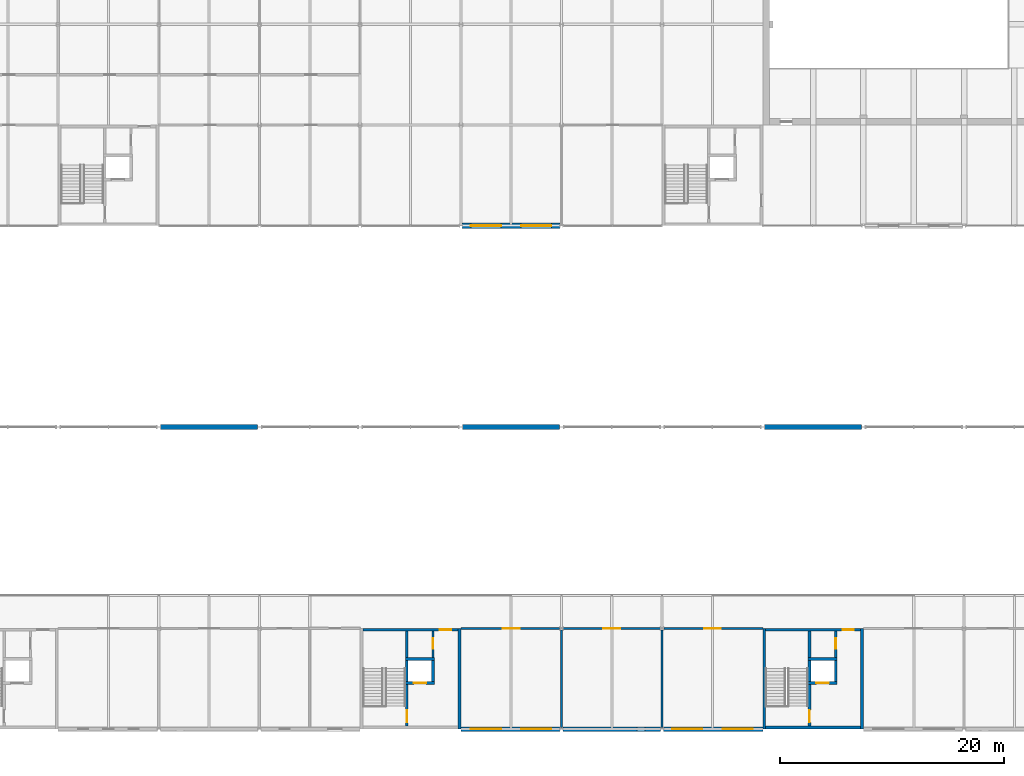
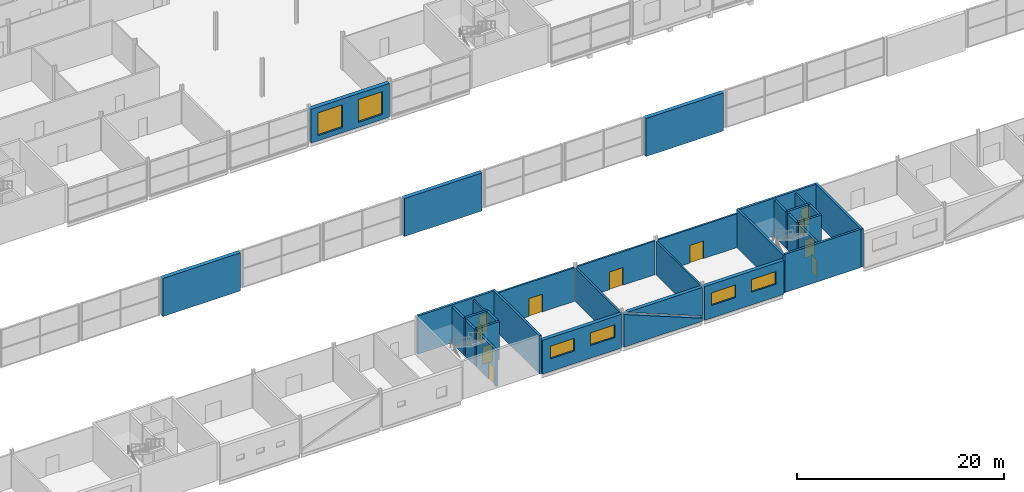
# One storey, part 69 of 97: 29 walls, 11 doors, 6 windows, 17 openings.
"""IFC4 building model written with IfcOpenShell, lengths in metres."""

from ifc_helpers import new_model, si_unit, direction, frame, frame_2d, origin, place, context, subcontext, project, spatial, polyline, rectangle, outline, extrude, material, layer, layer_set, type_object, element, fill, save


model = new_model("IFC4")

# Units and contexts
model_context = context("Model", 3, precision=1e-05, world=origin(), true_north=direction((0.0, 1.0)))
body_context = subcontext(model_context, "Body", "Model", "MODEL_VIEW")
ifc_project = project(units=[si_unit("LENGTHUNIT", "METRE"), si_unit("AREAUNIT", "SQUARE_METRE"), si_unit("VOLUMEUNIT", "CUBIC_METRE"), si_unit("PLANEANGLEUNIT", "RADIAN"), si_unit("MASSUNIT", "GRAM", prefix="KILO")], contexts=[model_context])

# Site, building, storey
site_placement = place(None, origin())
site = spatial("IfcSite", under=ifc_project, at=site_placement, CompositionType="ELEMENT")
building_placement = place(site_placement, origin())
building = spatial("IfcBuilding", under=site, at=building_placement, Name="Corbel Yard City Hall", CompositionType="ELEMENT")
storey_placement = place(building_placement, frame((0.0, 0.0, 6.0)))
storey = spatial("IfcBuildingStorey", under=building, at=storey_placement, Name="L01", CompositionType="ELEMENT", Elevation=6.0)

# Wall
ifc_material_1 = material(Name="Concrete N50 (50 MPa)", Category="concrete")
ifc_layer_1 = layer(ifc_material_1, 0.25)
ifc_layer_set_1 = layer_set([ifc_layer_1], Name="Concrete N50 (50 MPa)")
wall_type_1 = type_object("IfcWallType", Name="Core cell wall 250", PredefinedType="SHEAR", material=ifc_layer_set_1)
wall_1_placement = place(storey_placement, frame((89.875, 0.0, 0.0), z_axis=(0.0, 0.0, 1.0), x_axis=(0.0, 1.0, 0.0)))
element("IfcWall", 1, at=wall_1_placement, inside=storey, type_object=wall_type_1, Name="Core PC-S2 east wall", PredefinedType="SHEAR", context=body_context, shape_type="SweptSolid", body=[
    extrude(rectangle(XDim=9.0, YDim=0.25, at=frame_2d((4.5, 0.0))), origin(), (0.0, 0.0, 1.0), 4.5),
])

# Wall, opening, door
wall_2_placement = place(storey_placement, frame((81.25, 8.875, 0.0), z_axis=(0.0, 0.0, 1.0), x_axis=(1.0, 0.0, 0.0)))
wall_2 = element("IfcWall", 2, at=wall_2_placement, inside=storey, type_object=wall_type_1, Name="Core PC-S2 north wall", PredefinedType="SHEAR", context=body_context, shape_type="SweptSolid", body=[
    extrude(rectangle(XDim=8.5, YDim=0.25, at=frame_2d((4.25, 0.0))), origin(), (0.0, 0.0, 1.0), 4.5),
])
opening_1_placement = place(wall_2_placement, frame((6.887451171875, 0.0, 0.0)))
opening_1 = element("IfcOpeningElement", 3, at=opening_1_placement, cuts=wall_2, Name="Opening L01-021", PredefinedType="OPENING", context=body_context, shape_type="SweptSolid", body=[
    extrude(rectangle(XDim=1.0, YDim=2.10009765625, at=frame_2d((0.5, 1.050048828125))), frame((0.0, 0.135009765625, 0.0), z_axis=(0.0, -1.0, 0.0), x_axis=(1.0, 0.0, 0.0)), (0.0, 0.0, 1.0), 0.27001953125),
])
ifc_material_2 = material(Name="Steel Grade G250", Category="steel")
door_type_1 = type_object("IfcDoorType", Name="FS1", OperationType="SINGLE_SWING_LEFT", PredefinedType="DOOR", material=ifc_material_2)
door_1_placement = place(opening_1_placement, frame((1.0, 0.0, 0.0), z_axis=(0.0, 0.0, 1.0), x_axis=(-1.0, 0.0, 0.0)))
door_1 = element("IfcDoor", 4, at=door_1_placement, inside=storey, type_object=door_type_1, Name="Door Lift Lobby", OperationType="SINGLE_SWING_RIGHT", OverallHeight=2.10009765625, OverallWidth=1.0, PredefinedType="DOOR", context=body_context, shape_type="SweptSolid", body=[
    extrude(rectangle(XDim=1.0, YDim=2.10009765625, at=frame_2d((0.5, 1.050048828125))), frame((0.0, 0.02490234375, 0.0), z_axis=(0.0, -1.0, 0.0), x_axis=(1.0, 0.0, 0.0)), (0.0, 0.0, 1.0), 0.050048828125),
])
fill(opening_1, door_1)

# Walls
for number, where, z_axis, x_axis, name in (
    (5, (117.125, 0.0, 0.0), (0.0, 0.0, 1.0), (0.0, 1.0, 0.0), "Core PC-S3 west wall"),
    (6, (125.875, 0.0, 0.0), (0.0, 0.0, 1.0), (0.0, 1.0, 0.0), "Core PC-S3 east wall"),
):
    element("IfcWall", number, at=place(storey_placement, frame(where, z_axis=z_axis, x_axis=x_axis)), inside=storey, type_object=wall_type_1, Name=name, PredefinedType="SHEAR", context=body_context, shape_type="SweptSolid", body=[
        extrude(rectangle(XDim=9.0, YDim=0.25, at=frame_2d((4.5, 0.0))), origin(), (0.0, 0.0, 1.0), 4.5),
    ])
wall_3_placement = place(storey_placement, frame((117.25, 0.125, 0.0), z_axis=(0.0, 0.0, 1.0), x_axis=(1.0, 0.0, 0.0)))
element("IfcWall", 7, at=wall_3_placement, inside=storey, type_object=wall_type_1, Name="Core PC-S3 south wall", PredefinedType="SHEAR", context=body_context, shape_type="SweptSolid", body=[
    extrude(rectangle(XDim=8.5, YDim=0.25, at=frame_2d((4.25, 0.0))), origin(), (0.0, 0.0, 1.0), 4.5),
])

# Wall, opening, door
wall_4_placement = place(storey_placement, frame((117.25, 8.875, 0.0), z_axis=(0.0, 0.0, 1.0), x_axis=(1.0, 0.0, 0.0)))
wall_4 = element("IfcWall", 8, at=wall_4_placement, inside=storey, type_object=wall_type_1, Name="Core PC-S3 north wall", PredefinedType="SHEAR", context=body_context, shape_type="SweptSolid", body=[
    extrude(rectangle(XDim=8.5, YDim=0.25, at=frame_2d((4.25, 0.0))), origin(), (0.0, 0.0, 1.0), 4.5),
])
opening_2_placement = place(wall_4_placement, frame((6.887451171875, 0.0, 0.0)))
opening_2 = element("IfcOpeningElement", 9, at=opening_2_placement, cuts=wall_4, Name="Opening L01-024", PredefinedType="OPENING", context=body_context, shape_type="SweptSolid", body=[
    extrude(rectangle(XDim=1.0, YDim=2.10009765625, at=frame_2d((0.5, 1.050048828125))), frame((0.0, 0.135009765625, 0.0), z_axis=(0.0, -1.0, 0.0), x_axis=(1.0, 0.0, 0.0)), (0.0, 0.0, 1.0), 0.27001953125),
])
door_2_placement = place(opening_2_placement, frame((1.0, 0.0, 0.0), z_axis=(0.0, 0.0, 1.0), x_axis=(-1.0, 0.0, 0.0)))
door_2 = element("IfcDoor", 10, at=door_2_placement, inside=storey, type_object=door_type_1, Name="Door Lift Lobby", OperationType="SINGLE_SWING_RIGHT", OverallHeight=2.10009765625, OverallWidth=1.0, PredefinedType="DOOR", context=body_context, shape_type="SweptSolid", body=[
    extrude(rectangle(XDim=1.0, YDim=2.10009765625, at=frame_2d((0.5, 1.050048828125))), frame((0.0, 0.02490234375, 0.0), z_axis=(0.0, -1.0, 0.0), x_axis=(1.0, 0.0, 0.0)), (0.0, 0.0, 1.0), 0.050048828125),
])
fill(opening_2, door_2)

# Walls
ifc_material_3 = material(Name="Sandstone cladding", Category="masonry")
ifc_layer_2 = layer(ifc_material_3, 0.06005859375)
ifc_material_4 = material(Name="Air cavity", Category="air")
ifc_layer_3 = layer(ifc_material_4, 0.0400390625)
ifc_material_5 = material(Name="Concrete N40 (40 MPa)", Category="concrete")
ifc_layer_4 = layer(ifc_material_5, 0.25)
ifc_material_6 = material(Name="Mineral wool", Category="insulation")
ifc_layer_5 = layer(ifc_material_6, 0.10009765625)
ifc_layer_set_2 = layer_set([ifc_layer_2, ifc_layer_3, ifc_layer_4, ifc_layer_5], Name="Concrete N40 (40 MPa)")
wall_type_2 = type_object("IfcWallType", Name="EW2", PredefinedType="SOLIDWALL", material=ifc_layer_set_2)
for number, where, z_axis, x_axis, name in (
    (11, (63.157470703125, 27.0, -0.14990234375), (0.0, 0.0, 1.0), (1.0, 0.0, 0.0), "Entrance pier wall"),
    (12, (90.157470703125, 27.0, -0.14990234375), (0.0, 0.0, 1.0), (1.0, 0.0, 0.0), "Entrance pier wall"),
    (13, (117.157470703125, 27.0, -0.14990234375), (0.0, 0.0, 1.0), (1.0, 0.0, 0.0), "Entrance pier wall"),
):
    element("IfcWall", number, at=place(storey_placement, frame(where, z_axis=z_axis, x_axis=x_axis)), inside=storey, type_object=wall_type_2, Name=name, PredefinedType="SOLIDWALL", context=body_context, shape_type="SweptSolid", body=[
        extrude(rectangle(XDim=8.68505859375, YDim=0.449951171875, at=frame_2d((4.342529296875, 0.0))), origin(), (0.0, 0.0, 1.0), 4.5),
    ])

# Wall, openings, windows
wall_5_placement = place(storey_placement, frame((90.1298828125, 45.0, 0.0), z_axis=(0.0, 0.0, 1.0), x_axis=(1.0, 0.0, 0.0)))
wall_5 = element("IfcWall", 14, at=wall_5_placement, inside=storey, type_object=wall_type_2, Name="Entrance pier wall", PredefinedType="SOLIDWALL", context=body_context, shape_type="SweptSolid", body=[
    extrude(rectangle(XDim=8.740234375, YDim=0.449951171875, at=frame_2d((4.3701171875, 0.0))), origin(), (0.0, 0.0, 1.0), 3.990966796875),
])
opening_3_placement = place(wall_5_placement, frame((0.77001953125, 0.0, 0.60009765625)))
opening_3 = element("IfcOpeningElement", 15, at=opening_3_placement, cuts=wall_5, Name="Opening WN18", PredefinedType="OPENING", context=body_context, shape_type="SweptSolid", body=[
    extrude(rectangle(XDim=2.699951171875, YDim=2.699951171875, at=frame_2d((1.35009765625, 1.35009765625))), frame((0.0, 0.23486328125, 0.0), z_axis=(0.0, -1.0, 0.0), x_axis=(1.0, 0.0, 0.0)), (0.0, 0.0, 1.0), 0.469970703125),
])
opening_4_placement = place(wall_5_placement, frame((5.27001953125, 0.0, 0.60009765625)))
opening_4 = element("IfcOpeningElement", 16, at=opening_4_placement, cuts=wall_5, Name="Opening WN18", PredefinedType="OPENING", context=body_context, shape_type="SweptSolid", body=[
    extrude(rectangle(XDim=2.699951171875, YDim=2.699951171875, at=frame_2d((1.35009765625, 1.35009765625))), frame((0.0, 0.23486328125, 0.0), z_axis=(0.0, -1.0, 0.0), x_axis=(1.0, 0.0, 0.0)), (0.0, 0.0, 1.0), 0.469970703125),
])
ifc_material_7 = material(Name="Aluminium frame, double glazed low-e glass", Category="aluminium")
window_type_1 = type_object("IfcWindowType", Name="WN18", PartitioningType="SINGLE_PANEL", PredefinedType="WINDOW", material=ifc_material_7)
window_1_placement = place(opening_3_placement, origin())
window_1 = element("IfcWindow", 17, at=window_1_placement, inside=storey, type_object=window_type_1, Name="Window WN18 L01", OverallHeight=2.699951171875, OverallWidth=2.699951171875, PartitioningType="SINGLE_PANEL", PredefinedType="WINDOW", context=body_context, shape_type="SweptSolid", body=[
    extrude(rectangle(XDim=2.699951171875, YDim=2.699951171875, at=frame_2d((1.35009765625, 1.35009765625))), frame((0.0, 0.030029296875, 0.0), z_axis=(0.0, -1.0, 0.0), x_axis=(1.0, 0.0, 0.0)), (0.0, 0.0, 1.0), 0.06005859375),
])
fill(opening_3, window_1)
window_2_placement = place(opening_4_placement, origin())
window_2 = element("IfcWindow", 18, at=window_2_placement, inside=storey, type_object=window_type_1, Name="Window WN18 L01", OverallHeight=2.699951171875, OverallWidth=2.699951171875, PartitioningType="SINGLE_PANEL", PredefinedType="WINDOW", context=body_context, shape_type="SweptSolid", body=[
    extrude(rectangle(XDim=2.699951171875, YDim=2.699951171875, at=frame_2d((1.35009765625, 1.35009765625))), frame((0.0, 0.030029296875, 0.0), z_axis=(0.0, -1.0, 0.0), x_axis=(1.0, 0.0, 0.0)), (0.0, 0.0, 1.0), 0.06005859375),
])
fill(opening_4, window_2)

ifc_material_8 = material(Name="Gypsum plasterboard", Category="gypsum")
ifc_layer_6 = layer(ifc_material_8, 0.031982421875)
ifc_layer_7 = layer(ifc_material_4, 0.133056640625)
ifc_material_9 = material(Name="Concrete block", Category="concrete")
ifc_layer_8 = layer(ifc_material_9, 0.18994140625)
ifc_material_10 = material(Name="Cement render", Category="render")
ifc_layer_9 = layer(ifc_material_10, 0.0400390625)
ifc_material_11 = material(Name="Acoustic sealant", Category="sealant")
ifc_layer_10 = layer(ifc_material_11, 0.0048828125)
ifc_layer_set_3 = layer_set([ifc_layer_6, ifc_layer_7, ifc_layer_8, ifc_layer_9, ifc_layer_10], Name="Concrete block")
wall_type_3 = type_object("IfcWallType", Name="EW3", PredefinedType="SOLIDWALL", material=ifc_layer_set_3)
wall_6_placement = place(storey_placement, frame((90.0, 0.0, 0.0), z_axis=(0.0, 0.0, 1.0), x_axis=(1.0, 0.0, 0.0)))
wall_6 = element("IfcWall", 19, at=wall_6_placement, inside=storey, type_object=wall_type_3, Name="Acoustic wall", PredefinedType="SOLIDWALL", context=body_context, shape_type="SweptSolid", body=[
    extrude(rectangle(XDim=8.8701171875, YDim=0.39990234375, at=frame_2d((4.43505859375, 0.0))), origin(), (0.0, 0.0, 1.0), 3.990966796875),
])
opening_5_placement = place(wall_6_placement, frame((0.89990234375, 0.0, 1.5)))
opening_5 = element("IfcOpeningElement", 20, at=opening_5_placement, cuts=wall_6, Name="Opening WN3", PredefinedType="OPENING", context=body_context, shape_type="SweptSolid", body=[
    extrude(rectangle(XDim=2.699951171875, YDim=1.5, at=frame_2d((1.35009765625, 0.75))), frame((0.0, 0.2099609375, 0.0), z_axis=(0.0, -1.0, 0.0), x_axis=(1.0, 0.0, 0.0)), (0.0, 0.0, 1.0), 0.419921875),
])
opening_6_placement = place(wall_6_placement, frame((5.39990234375, 0.0, 1.5)))
opening_6 = element("IfcOpeningElement", 21, at=opening_6_placement, cuts=wall_6, Name="Opening WN3", PredefinedType="OPENING", context=body_context, shape_type="SweptSolid", body=[
    extrude(rectangle(XDim=2.699951171875, YDim=1.5, at=frame_2d((1.35009765625, 0.75))), frame((0.0, 0.2099609375, 0.0), z_axis=(0.0, -1.0, 0.0), x_axis=(1.0, 0.0, 0.0)), (0.0, 0.0, 1.0), 0.419921875),
])
ifc_material_12 = material(Name="Aluminium frame, laminated acoustic glass", Category="aluminium")
window_type_2 = type_object("IfcWindowType", Name="WN3", PartitioningType="SINGLE_PANEL", PredefinedType="WINDOW", material=ifc_material_12)
window_3_placement = place(opening_5_placement, origin())
window_3 = element("IfcWindow", 22, at=window_3_placement, inside=storey, type_object=window_type_2, Name="Window WN3 L01", OverallHeight=1.5, OverallWidth=2.699951171875, PartitioningType="SINGLE_PANEL", PredefinedType="WINDOW", context=body_context, shape_type="SweptSolid", body=[
    extrude(rectangle(XDim=2.699951171875, YDim=1.5, at=frame_2d((1.35009765625, 0.75))), frame((0.0, 0.030029296875, 0.0), z_axis=(0.0, -1.0, 0.0), x_axis=(1.0, 0.0, 0.0)), (0.0, 0.0, 1.0), 0.06005859375),
])
fill(opening_5, window_3)
window_4_placement = place(opening_6_placement, origin())
window_4 = element("IfcWindow", 23, at=window_4_placement, inside=storey, type_object=window_type_2, Name="Window WN3 L01", OverallHeight=1.5, OverallWidth=2.699951171875, PartitioningType="SINGLE_PANEL", PredefinedType="WINDOW", context=body_context, shape_type="SweptSolid", body=[
    extrude(rectangle(XDim=2.699951171875, YDim=1.5, at=frame_2d((1.35009765625, 0.75))), frame((0.0, 0.030029296875, 0.0), z_axis=(0.0, -1.0, 0.0), x_axis=(1.0, 0.0, 0.0)), (0.0, 0.0, 1.0), 0.06005859375),
])
fill(opening_6, window_4)

# Walls
wall_7_placement = place(storey_placement, frame((99.1298828125, 0.0, 0.0), z_axis=(0.0, 0.0, 1.0), x_axis=(1.0, 0.0, 0.0)))
element("IfcWall", 24, at=wall_7_placement, inside=storey, type_object=wall_type_3, Name="Acoustic wall", PredefinedType="SOLIDWALL", context=body_context, shape_type="SweptSolid", body=[
    extrude(outline(polyline([(8.739990234375, 0.0), (0.0, 0.0), (0.0, 3.8603515625), (8.69189453125, 0.379638671875), (8.739990234375, 0.5), (8.739990234375, 0.0)])), frame((0.0, 0.199951171875, 0.0), z_axis=(0.0, -1.0, 0.0), x_axis=(1.0, 0.0, 0.0)), (0.0, 0.0, 1.0), 0.39990234375),
])
wall_8_placement = place(storey_placement, frame((99.1298828125, 0.0, 0.0), z_axis=(0.0, 0.0, 1.0), x_axis=(1.0, 0.0, 0.0)))
element("IfcWall", 25, at=wall_8_placement, inside=storey, type_object=wall_type_3, Name="Acoustic wall", PredefinedType="SOLIDWALL", context=body_context, shape_type="SweptSolid", body=[
    extrude(outline(polyline([(8.739990234375, 3.990966796875), (8.739990234375, 0.6396484375), (0.370849609375, 3.990966796875), (8.739990234375, 3.990966796875)])), frame((0.0, 0.199951171875, 0.0), z_axis=(0.0, -1.0, 0.0), x_axis=(1.0, 0.0, 0.0)), (0.0, 0.0, 1.0), 0.39990234375),
])

# Wall, openings, windows
wall_9_placement = place(storey_placement, frame((108.1298828125, 0.0, 0.0), z_axis=(0.0, 0.0, 1.0), x_axis=(1.0, 0.0, 0.0)))
wall_9 = element("IfcWall", 26, at=wall_9_placement, inside=storey, type_object=wall_type_3, Name="Acoustic wall", PredefinedType="SOLIDWALL", context=body_context, shape_type="SweptSolid", body=[
    extrude(rectangle(XDim=8.8701171875, YDim=0.39990234375, at=frame_2d((4.43505859375, 0.0))), origin(), (0.0, 0.0, 1.0), 3.990966796875),
])
opening_7_placement = place(wall_9_placement, frame((0.77001953125, 0.0, 1.5)))
opening_7 = element("IfcOpeningElement", 27, at=opening_7_placement, cuts=wall_9, Name="Opening WN3", PredefinedType="OPENING", context=body_context, shape_type="SweptSolid", body=[
    extrude(rectangle(XDim=2.699951171875, YDim=1.5, at=frame_2d((1.35009765625, 0.75))), frame((0.0, 0.2099609375, 0.0), z_axis=(0.0, -1.0, 0.0), x_axis=(1.0, 0.0, 0.0)), (0.0, 0.0, 1.0), 0.419921875),
])
opening_8_placement = place(wall_9_placement, frame((5.27001953125, 0.0, 1.5)))
opening_8 = element("IfcOpeningElement", 28, at=opening_8_placement, cuts=wall_9, Name="Opening WN3", PredefinedType="OPENING", context=body_context, shape_type="SweptSolid", body=[
    extrude(rectangle(XDim=2.699951171875, YDim=1.5, at=frame_2d((1.35009765625, 0.75))), frame((0.0, 0.2099609375, 0.0), z_axis=(0.0, -1.0, 0.0), x_axis=(1.0, 0.0, 0.0)), (0.0, 0.0, 1.0), 0.419921875),
])
window_5_placement = place(opening_7_placement, origin())
window_5 = element("IfcWindow", 29, at=window_5_placement, inside=storey, type_object=window_type_2, Name="Window WN3 L01", OverallHeight=1.5, OverallWidth=2.699951171875, PartitioningType="SINGLE_PANEL", PredefinedType="WINDOW", context=body_context, shape_type="SweptSolid", body=[
    extrude(rectangle(XDim=2.699951171875, YDim=1.5, at=frame_2d((1.35009765625, 0.75))), frame((0.0, 0.030029296875, 0.0), z_axis=(0.0, -1.0, 0.0), x_axis=(1.0, 0.0, 0.0)), (0.0, 0.0, 1.0), 0.06005859375),
])
fill(opening_7, window_5)
window_6_placement = place(opening_8_placement, origin())
window_6 = element("IfcWindow", 30, at=window_6_placement, inside=storey, type_object=window_type_2, Name="Window WN3 L01", OverallHeight=1.5, OverallWidth=2.699951171875, PartitioningType="SINGLE_PANEL", PredefinedType="WINDOW", context=body_context, shape_type="SweptSolid", body=[
    extrude(rectangle(XDim=2.699951171875, YDim=1.5, at=frame_2d((1.35009765625, 0.75))), frame((0.0, 0.030029296875, 0.0), z_axis=(0.0, -1.0, 0.0), x_axis=(1.0, 0.0, 0.0)), (0.0, 0.0, 1.0), 0.06005859375),
])
fill(opening_8, window_6)

# Wall, opening, door
ifc_layer_11 = layer(ifc_material_5, 0.25)
ifc_layer_set_4 = layer_set([ifc_layer_11], Name="Concrete N40 (40 MPa)")
wall_type_4 = type_object("IfcWallType", Name="IW2", PredefinedType="SOLIDWALL", material=ifc_layer_set_4)
wall_10_placement = place(storey_placement, frame((85.175048828125, 0.25, 0.0), z_axis=(0.0, 0.0, 1.0), x_axis=(0.0, 1.0, 0.0)))
wall_10 = element("IfcWall", 31, at=wall_10_placement, inside=storey, type_object=wall_type_4, Name="Stair enclosure wall", PredefinedType="SOLIDWALL", context=body_context, shape_type="SweptSolid", body=[
    extrude(rectangle(XDim=8.5, YDim=0.25, at=frame_2d((4.25, 0.0))), origin(), (0.0, 0.0, 1.0), 4.25),
])
opening_9_placement = place(wall_10_placement, frame((0.35009765625, 0.0, 0.0)))
opening_9 = element("IfcOpeningElement", 32, at=opening_9_placement, cuts=wall_10, Name="Opening L01-020", PredefinedType="OPENING", context=body_context, shape_type="SweptSolid", body=[
    extrude(rectangle(XDim=1.10009765625, YDim=2.10009765625, at=frame_2d((0.550048828125, 1.050048828125))), frame((0.0, 0.135009765625, 0.0), z_axis=(0.0, -1.0, 0.0), x_axis=(1.0, 0.0, 0.0)), (0.0, 0.0, 1.0), 0.27001953125),
])
door_type_2 = type_object("IfcDoorType", Name="FS11", OperationType="SINGLE_SWING_LEFT", PredefinedType="DOOR", material=ifc_material_2)
door_3_placement = place(opening_9_placement, origin())
door_3 = element("IfcDoor", 33, at=door_3_placement, inside=storey, type_object=door_type_2, Name="Door Exit Stair 3", OperationType="SINGLE_SWING_LEFT", OverallHeight=2.10009765625, OverallWidth=1.10009765625, PredefinedType="DOOR", context=body_context, shape_type="SweptSolid", body=[
    extrude(rectangle(XDim=1.10009765625, YDim=2.10009765625, at=frame_2d((0.550048828125, 1.050048828125))), frame((0.0, 0.02490234375, 0.0), z_axis=(0.0, -1.0, 0.0), x_axis=(1.0, 0.0, 0.0)), (0.0, 0.0, 1.0), 0.050048828125),
])
fill(opening_9, door_3)

wall_11_placement = place(storey_placement, frame((85.050048828125, 4.125, 0.0), z_axis=(0.0, 0.0, 1.0), x_axis=(1.0, 0.0, 0.0)))
wall_11 = element("IfcWall", 34, at=wall_11_placement, inside=storey, type_object=wall_type_4, Name="Lift LP3 shaft wall", PredefinedType="SOLIDWALL", context=body_context, shape_type="SweptSolid", body=[
    extrude(rectangle(XDim=2.599853515625, YDim=0.25, at=frame_2d((1.2998046875, 0.0))), origin(), (0.0, 0.0, 1.0), 4.5),
])
opening_10_placement = place(wall_11_placement, frame((0.75, 0.0, 0.0)))
opening_10 = element("IfcOpeningElement", 35, at=opening_10_placement, cuts=wall_11, Name="Opening L01-003", PredefinedType="OPENING", context=body_context, shape_type="SweptSolid", body=[
    extrude(rectangle(XDim=1.10009765625, YDim=2.10009765625, at=frame_2d((0.550048828125, 1.050048828125))), frame((0.0, 0.135009765625, 0.0), z_axis=(0.0, -1.0, 0.0), x_axis=(1.0, 0.0, 0.0)), (0.0, 0.0, 1.0), 0.27001953125),
])
ifc_material_13 = material(Name="Stainless steel Grade 316", Category="steel")
door_type_3 = type_object("IfcDoorType", Name="LD1", OperationType="DOUBLE_DOOR_SLIDING", PredefinedType="DOOR", material=ifc_material_13)
door_4_placement = place(opening_10_placement, origin())
door_4 = element("IfcDoor", 36, at=door_4_placement, inside=storey, type_object=door_type_3, Name="Lift LP3 landing door", OperationType="DOUBLE_DOOR_SLIDING", OverallHeight=2.10009765625, OverallWidth=1.10009765625, PredefinedType="DOOR", context=body_context, shape_type="SweptSolid", body=[
    extrude(rectangle(XDim=1.10009765625, YDim=2.10009765625, at=frame_2d((0.550048828125, 1.050048828125))), frame((0.0, 0.02490234375, 0.0), z_axis=(0.0, -1.0, 0.0), x_axis=(1.0, 0.0, 0.0)), (0.0, 0.0, 1.0), 0.050048828125),
])
fill(opening_10, door_4)

# Walls
wall_12_placement = place(storey_placement, frame((85.050048828125, 6.27490234375, 0.0), z_axis=(0.0, 0.0, 1.0), x_axis=(1.0, 0.0, 0.0)))
element("IfcWall", 37, at=wall_12_placement, inside=storey, type_object=wall_type_4, Name="Lift LP3 shaft wall", PredefinedType="SOLIDWALL", context=body_context, shape_type="SweptSolid", body=[
    extrude(rectangle(XDim=2.599853515625, YDim=0.25, at=frame_2d((1.2998046875, 0.0))), origin(), (0.0, 0.0, 1.0), 4.5),
])
wall_13_placement = place(storey_placement, frame((87.52490234375, 4.25, 0.0), z_axis=(0.0, 0.0, 1.0), x_axis=(0.0, 1.0, 0.0)))
element("IfcWall", 38, at=wall_13_placement, inside=storey, type_object=wall_type_4, Name="Lift LP3 shaft wall", PredefinedType="SOLIDWALL", context=body_context, shape_type="SweptSolid", body=[
    extrude(rectangle(XDim=1.89990234375, YDim=0.25, at=frame_2d((0.949951171875, 0.0))), origin(), (0.0, 0.0, 1.0), 4.5),
])

# Wall, opening, door
wall_14_placement = place(storey_placement, frame((121.175048828125, 0.25, 0.0), z_axis=(0.0, 0.0, 1.0), x_axis=(0.0, 1.0, 0.0)))
wall_14 = element("IfcWall", 39, at=wall_14_placement, inside=storey, type_object=wall_type_4, Name="Stair enclosure wall", PredefinedType="SOLIDWALL", context=body_context, shape_type="SweptSolid", body=[
    extrude(rectangle(XDim=8.5, YDim=0.25, at=frame_2d((4.25, 0.0))), origin(), (0.0, 0.0, 1.0), 4.25),
])
opening_11_placement = place(wall_14_placement, frame((0.35009765625, 0.0, 0.0)))
opening_11 = element("IfcOpeningElement", 40, at=opening_11_placement, cuts=wall_14, Name="Opening L01-023", PredefinedType="OPENING", context=body_context, shape_type="SweptSolid", body=[
    extrude(rectangle(XDim=1.10009765625, YDim=2.10009765625, at=frame_2d((0.550048828125, 1.050048828125))), frame((0.0, 0.135009765625, 0.0), z_axis=(0.0, -1.0, 0.0), x_axis=(1.0, 0.0, 0.0)), (0.0, 0.0, 1.0), 0.27001953125),
])
door_5_placement = place(opening_11_placement, origin())
door_5 = element("IfcDoor", 41, at=door_5_placement, inside=storey, type_object=door_type_2, Name="Door Exit Stair 4", OperationType="SINGLE_SWING_LEFT", OverallHeight=2.10009765625, OverallWidth=1.10009765625, PredefinedType="DOOR", context=body_context, shape_type="SweptSolid", body=[
    extrude(rectangle(XDim=1.10009765625, YDim=2.10009765625, at=frame_2d((0.550048828125, 1.050048828125))), frame((0.0, 0.02490234375, 0.0), z_axis=(0.0, -1.0, 0.0), x_axis=(1.0, 0.0, 0.0)), (0.0, 0.0, 1.0), 0.050048828125),
])
fill(opening_11, door_5)

wall_15_placement = place(storey_placement, frame((121.050048828125, 4.125, 0.0), z_axis=(0.0, 0.0, 1.0), x_axis=(1.0, 0.0, 0.0)))
wall_15 = element("IfcWall", 42, at=wall_15_placement, inside=storey, type_object=wall_type_4, Name="Lift LP4 shaft wall", PredefinedType="SOLIDWALL", context=body_context, shape_type="SweptSolid", body=[
    extrude(rectangle(XDim=2.599853515625, YDim=0.25, at=frame_2d((1.2998046875, 0.0))), origin(), (0.0, 0.0, 1.0), 4.5),
])
opening_12_placement = place(wall_15_placement, frame((0.75, 0.0, 0.0)))
opening_12 = element("IfcOpeningElement", 43, at=opening_12_placement, cuts=wall_15, Name="Opening L01-004", PredefinedType="OPENING", context=body_context, shape_type="SweptSolid", body=[
    extrude(rectangle(XDim=1.10009765625, YDim=2.10009765625, at=frame_2d((0.550048828125, 1.050048828125))), frame((0.0, 0.135009765625, 0.0), z_axis=(0.0, -1.0, 0.0), x_axis=(1.0, 0.0, 0.0)), (0.0, 0.0, 1.0), 0.27001953125),
])
door_6_placement = place(opening_12_placement, origin())
door_6 = element("IfcDoor", 44, at=door_6_placement, inside=storey, type_object=door_type_3, Name="Lift LP4 landing door", OperationType="DOUBLE_DOOR_SLIDING", OverallHeight=2.10009765625, OverallWidth=1.10009765625, PredefinedType="DOOR", context=body_context, shape_type="SweptSolid", body=[
    extrude(rectangle(XDim=1.10009765625, YDim=2.10009765625, at=frame_2d((0.550048828125, 1.050048828125))), frame((0.0, 0.02490234375, 0.0), z_axis=(0.0, -1.0, 0.0), x_axis=(1.0, 0.0, 0.0)), (0.0, 0.0, 1.0), 0.050048828125),
])
fill(opening_12, door_6)

# Walls
wall_16_placement = place(storey_placement, frame((121.050048828125, 6.27490234375, 0.0), z_axis=(0.0, 0.0, 1.0), x_axis=(1.0, 0.0, 0.0)))
element("IfcWall", 45, at=wall_16_placement, inside=storey, type_object=wall_type_4, Name="Lift LP4 shaft wall", PredefinedType="SOLIDWALL", context=body_context, shape_type="SweptSolid", body=[
    extrude(rectangle(XDim=2.599853515625, YDim=0.25, at=frame_2d((1.2998046875, 0.0))), origin(), (0.0, 0.0, 1.0), 4.5),
])
wall_17_placement = place(storey_placement, frame((123.52490234375, 4.25, 0.0), z_axis=(0.0, 0.0, 1.0), x_axis=(0.0, 1.0, 0.0)))
element("IfcWall", 46, at=wall_17_placement, inside=storey, type_object=wall_type_4, Name="Lift LP4 shaft wall", PredefinedType="SOLIDWALL", context=body_context, shape_type="SweptSolid", body=[
    extrude(rectangle(XDim=1.89990234375, YDim=0.25, at=frame_2d((0.949951171875, 0.0))), origin(), (0.0, 0.0, 1.0), 4.5),
])

# Wall, opening, door
ifc_layer_12 = layer(ifc_material_8, 0.031982421875)
ifc_material_14 = material(Name="Steel Grade G550 (550 MPa yield)", Category="steel")
ifc_layer_13 = layer(ifc_material_14, 0.135986328125)
ifc_layer_14 = layer(ifc_material_8, 0.031982421875)
ifc_layer_set_5 = layer_set([ifc_layer_12, ifc_layer_13, ifc_layer_14], Name="Steel Grade G550 (550 MPa yield)")
wall_type_5 = type_object("IfcWallType", Name="PT2", PredefinedType="PARTITIONING", material=ifc_layer_set_5)
wall_18_placement = place(storey_placement, frame((90.0, 9.0, 0.0), z_axis=(0.0, 0.0, 1.0), x_axis=(1.0, 0.0, 0.0)))
wall_18 = element("IfcWall", 47, at=wall_18_placement, inside=storey, type_object=wall_type_5, Name="Acoustic wall", PredefinedType="PARTITIONING", context=body_context, shape_type="SweptSolid", body=[
    extrude(rectangle(XDim=8.842529296875, YDim=0.199951171875, at=frame_2d((4.42138671875, 0.0))), origin(), (0.0, 0.0, 1.0), 3.990966796875),
])
opening_13_placement = place(wall_18_placement, frame((3.75, 0.0, 0.0)))
opening_13 = element("IfcOpeningElement", 48, at=opening_13_placement, cuts=wall_18, Name="Opening L01-032", PredefinedType="OPENING", context=body_context, shape_type="SweptSolid", body=[
    extrude(rectangle(XDim=1.5, YDim=2.10009765625, at=frame_2d((0.75, 1.050048828125))), frame((0.0, 0.10986328125, 0.0), z_axis=(0.0, -1.0, 0.0), x_axis=(1.0, 0.0, 0.0)), (0.0, 0.0, 1.0), 0.219970703125),
])
ifc_material_15 = material(Name="Timber", Category="wood")
door_type_4 = type_object("IfcDoorType", Name="D10", OperationType="DOUBLE_DOOR_SINGLE_SWING", PredefinedType="DOOR", material=ifc_material_15)
door_7_placement = place(opening_13_placement, origin())
door_7 = element("IfcDoor", 49, at=door_7_placement, inside=storey, type_object=door_type_4, Name="Door Committee Room 4", OperationType="DOUBLE_DOOR_SINGLE_SWING", OverallHeight=2.10009765625, OverallWidth=1.5, PredefinedType="DOOR", context=body_context, shape_type="SweptSolid", body=[
    extrude(rectangle(XDim=1.5, YDim=2.10009765625, at=frame_2d((0.75, 1.050048828125))), frame((0.0, 0.02490234375, 0.0), z_axis=(0.0, -1.0, 0.0), x_axis=(1.0, 0.0, 0.0)), (0.0, 0.0, 1.0), 0.050048828125),
])
fill(opening_13, door_7)

wall_19_placement = place(storey_placement, frame((99.157470703125, 9.0, 0.0), z_axis=(0.0, 0.0, 1.0), x_axis=(1.0, 0.0, 0.0)))
wall_19 = element("IfcWall", 50, at=wall_19_placement, inside=storey, type_object=wall_type_5, Name="Acoustic wall", PredefinedType="PARTITIONING", context=body_context, shape_type="SweptSolid", body=[
    extrude(rectangle(XDim=8.68505859375, YDim=0.199951171875, at=frame_2d((4.342529296875, 0.0))), origin(), (0.0, 0.0, 1.0), 3.990966796875),
])
opening_14_placement = place(wall_19_placement, frame((3.592529296875, 0.0, 0.0)))
opening_14 = element("IfcOpeningElement", 51, at=opening_14_placement, cuts=wall_19, Name="Opening L01-033", PredefinedType="OPENING", context=body_context, shape_type="SweptSolid", body=[
    extrude(rectangle(XDim=1.5, YDim=2.10009765625, at=frame_2d((0.75, 1.050048828125))), frame((0.0, 0.10986328125, 0.0), z_axis=(0.0, -1.0, 0.0), x_axis=(1.0, 0.0, 0.0)), (0.0, 0.0, 1.0), 0.219970703125),
])
door_8_placement = place(opening_14_placement, origin())
door_8 = element("IfcDoor", 52, at=door_8_placement, inside=storey, type_object=door_type_4, Name="Door Committee Room 5", OperationType="DOUBLE_DOOR_SINGLE_SWING", OverallHeight=2.10009765625, OverallWidth=1.5, PredefinedType="DOOR", context=body_context, shape_type="SweptSolid", body=[
    extrude(rectangle(XDim=1.5, YDim=2.10009765625, at=frame_2d((0.75, 1.050048828125))), frame((0.0, 0.02490234375, 0.0), z_axis=(0.0, -1.0, 0.0), x_axis=(1.0, 0.0, 0.0)), (0.0, 0.0, 1.0), 0.050048828125),
])
fill(opening_14, door_8)

wall_20_placement = place(storey_placement, frame((108.157470703125, 9.0, 0.0), z_axis=(0.0, 0.0, 1.0), x_axis=(1.0, 0.0, 0.0)))
wall_20 = element("IfcWall", 53, at=wall_20_placement, inside=storey, type_object=wall_type_5, Name="Acoustic wall", PredefinedType="PARTITIONING", context=body_context, shape_type="SweptSolid", body=[
    extrude(rectangle(XDim=8.842529296875, YDim=0.199951171875, at=frame_2d((4.42138671875, 0.0))), origin(), (0.0, 0.0, 1.0), 3.990966796875),
])
opening_15_placement = place(wall_20_placement, frame((3.592529296875, 0.0, 0.0)))
opening_15 = element("IfcOpeningElement", 54, at=opening_15_placement, cuts=wall_20, Name="Opening L01-034", PredefinedType="OPENING", context=body_context, shape_type="SweptSolid", body=[
    extrude(rectangle(XDim=1.5, YDim=2.10009765625, at=frame_2d((0.75, 1.050048828125))), frame((0.0, 0.10986328125, 0.0), z_axis=(0.0, -1.0, 0.0), x_axis=(1.0, 0.0, 0.0)), (0.0, 0.0, 1.0), 0.219970703125),
])
door_9_placement = place(opening_15_placement, origin())
door_9 = element("IfcDoor", 55, at=door_9_placement, inside=storey, type_object=door_type_4, Name="Door Committee Room 6", OperationType="DOUBLE_DOOR_SINGLE_SWING", OverallHeight=2.10009765625, OverallWidth=1.5, PredefinedType="DOOR", context=body_context, shape_type="SweptSolid", body=[
    extrude(rectangle(XDim=1.5, YDim=2.10009765625, at=frame_2d((0.75, 1.050048828125))), frame((0.0, 0.02490234375, 0.0), z_axis=(0.0, -1.0, 0.0), x_axis=(1.0, 0.0, 0.0)), (0.0, 0.0, 1.0), 0.050048828125),
])
fill(opening_15, door_9)

# Walls
for number, where, z_axis, x_axis, name in (
    (56, (99.0, 0.1298828125, 0.0), (0.0, 0.0, 1.0), (0.0, 1.0, 0.0), "Acoustic wall"),
    (57, (108.0, 0.1298828125, 0.0), (0.0, 0.0, 1.0), (0.0, 1.0, 0.0), "Acoustic wall"),
):
    element("IfcWall", number, at=place(storey_placement, frame(where, z_axis=z_axis, x_axis=x_axis)), inside=storey, type_object=wall_type_5, Name=name, PredefinedType="PARTITIONING", context=body_context, shape_type="SweptSolid", body=[
        extrude(rectangle(XDim=8.712646484375, YDim=0.199951171875, at=frame_2d((4.3564453125, 0.0))), origin(), (0.0, 0.0, 1.0), 3.947021484375),
    ])

# Wall, opening, door
ifc_material_16 = material(Name="Concrete block", Category="concrete")
ifc_layer_15 = layer(ifc_material_16, 0.18994140625)
ifc_layer_set_6 = layer_set([ifc_layer_15], Name="Concrete block")
wall_type_6 = type_object("IfcWallType", Name="PT4", PredefinedType="PARTITIONING", material=ifc_layer_set_6)
wall_21_placement = place(storey_placement, frame((87.52490234375, 6.39990234375, 0.0), z_axis=(0.0, 0.0, 1.0), x_axis=(0.0, 1.0, 0.0)))
wall_21 = element("IfcWall", 58, at=wall_21_placement, inside=storey, type_object=wall_type_6, Name="Fire-resisting block wall", PredefinedType="PARTITIONING", context=body_context, shape_type="SweptSolid", body=[
    extrude(rectangle(XDim=2.35009765625, YDim=0.18994140625, at=frame_2d((1.175048828125, 0.0))), origin(), (0.0, 0.0, 1.0), 4.25),
])
opening_16_placement = place(wall_21_placement, frame((0.777587890625, 0.0, 0.0)))
opening_16 = element("IfcOpeningElement", 59, at=opening_16_placement, cuts=wall_21, Name="Opening L01-022", PredefinedType="OPENING", context=body_context, shape_type="SweptSolid", body=[
    extrude(rectangle(XDim=0.919921875, YDim=2.10009765625, at=frame_2d((0.4599609375, 1.050048828125))), frame((0.0, 0.10498046875, 0.0), z_axis=(0.0, -1.0, 0.0), x_axis=(1.0, 0.0, 0.0)), (0.0, 0.0, 1.0), 0.2099609375),
])
door_type_5 = type_object("IfcDoorType", Name="FS5", OperationType="SINGLE_SWING_RIGHT", PredefinedType="DOOR", material=ifc_material_2)
door_10_placement = place(opening_16_placement, origin())
door_10 = element("IfcDoor", 60, at=door_10_placement, inside=storey, type_object=door_type_5, Name="Door Service Riser", OperationType="SINGLE_SWING_RIGHT", OverallHeight=2.10009765625, OverallWidth=0.919921875, PredefinedType="DOOR", context=body_context, shape_type="SweptSolid", body=[
    extrude(rectangle(XDim=0.919921875, YDim=2.10009765625, at=frame_2d((0.4599609375, 1.050048828125))), frame((0.0, 0.02490234375, 0.0), z_axis=(0.0, -1.0, 0.0), x_axis=(1.0, 0.0, 0.0)), (0.0, 0.0, 1.0), 0.050048828125),
])
fill(opening_16, door_10)

wall_22_placement = place(storey_placement, frame((123.52490234375, 6.39990234375, 0.0), z_axis=(0.0, 0.0, 1.0), x_axis=(0.0, 1.0, 0.0)))
wall_22 = element("IfcWall", 61, at=wall_22_placement, inside=storey, type_object=wall_type_6, Name="Fire-resisting block wall", PredefinedType="PARTITIONING", context=body_context, shape_type="SweptSolid", body=[
    extrude(rectangle(XDim=2.35009765625, YDim=0.18994140625, at=frame_2d((1.175048828125, 0.0))), origin(), (0.0, 0.0, 1.0), 4.25),
])
opening_17_placement = place(wall_22_placement, frame((0.777587890625, 0.0, 0.0)))
opening_17 = element("IfcOpeningElement", 62, at=opening_17_placement, cuts=wall_22, Name="Opening L01-025", PredefinedType="OPENING", context=body_context, shape_type="SweptSolid", body=[
    extrude(rectangle(XDim=0.919921875, YDim=2.10009765625, at=frame_2d((0.4599609375, 1.050048828125))), frame((0.0, 0.10498046875, 0.0), z_axis=(0.0, -1.0, 0.0), x_axis=(1.0, 0.0, 0.0)), (0.0, 0.0, 1.0), 0.2099609375),
])
door_11_placement = place(opening_17_placement, origin())
door_11 = element("IfcDoor", 63, at=door_11_placement, inside=storey, type_object=door_type_5, Name="Door Service Riser", OperationType="SINGLE_SWING_RIGHT", OverallHeight=2.10009765625, OverallWidth=0.919921875, PredefinedType="DOOR", context=body_context, shape_type="SweptSolid", body=[
    extrude(rectangle(XDim=0.919921875, YDim=2.10009765625, at=frame_2d((0.4599609375, 1.050048828125))), frame((0.0, 0.02490234375, 0.0), z_axis=(0.0, -1.0, 0.0), x_axis=(1.0, 0.0, 0.0)), (0.0, 0.0, 1.0), 0.050048828125),
])
fill(opening_17, door_11)

save(model, "model.ifc")
